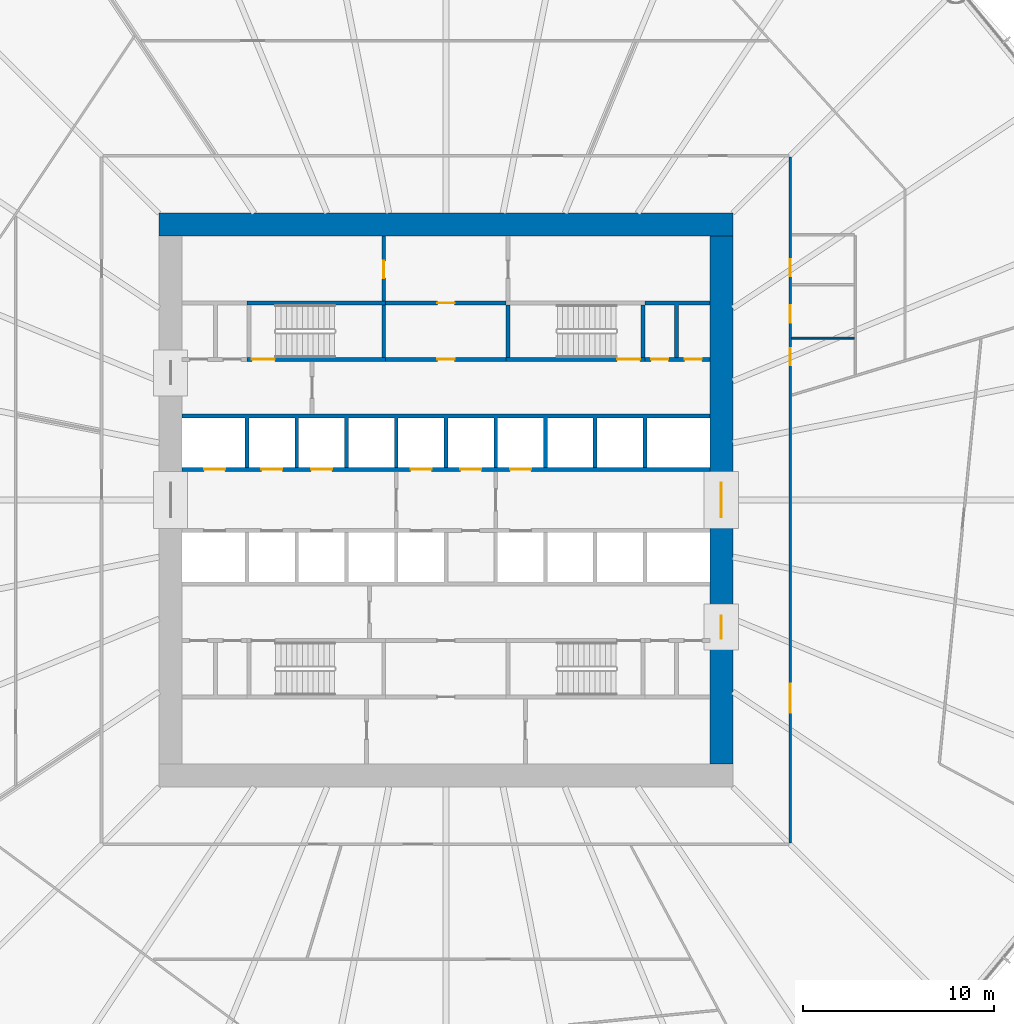
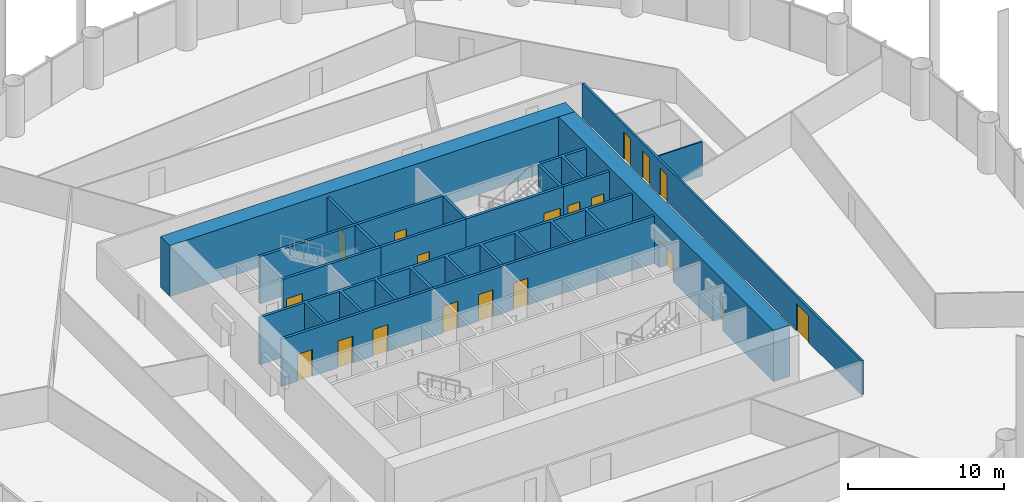
# One storey, part 11 of 14: 19 doors, 17 walls, 19 openings.
"""IFC4 building model written with IfcOpenShell, lengths in metres."""

from ifc_helpers import new_model, si_unit, direction, frame, frame_2d, origin, place, context, subcontext, project, spatial, polyline, rectangle, outline, extrude, material, layer, layer_set, type_object, element, fill, save


model = new_model("IFC4")

# Units and contexts
model_context = context("Model", 3, precision=1e-05, world=origin(), true_north=direction((0.0, 1.0)))
body_context = subcontext(model_context, "Body", "Model", "MODEL_VIEW")
ifc_project = project(units=[si_unit("LENGTHUNIT", "METRE"), si_unit("AREAUNIT", "SQUARE_METRE"), si_unit("VOLUMEUNIT", "CUBIC_METRE"), si_unit("PLANEANGLEUNIT", "RADIAN"), si_unit("MASSUNIT", "GRAM", prefix="KILO")], contexts=[model_context])

# Site, building, storey
site_placement = place(None, origin())
site = spatial("IfcSite", under=ifc_project, at=site_placement, CompositionType="ELEMENT")
building_placement = place(site_placement, origin())
building = spatial("IfcBuilding", under=site, at=building_placement, Name="Corvane Civic Tower", CompositionType="ELEMENT")
storey_placement = place(building_placement, frame((0.0, 0.0, 53.0)))
storey = spatial("IfcBuildingStorey", under=building, at=storey_placement, Name="L11", CompositionType="ELEMENT", Elevation=53.0)

# Wall
ifc_material_1 = material(Name="Concrete C80/95", Category="concrete")
ifc_layer_1 = layer(ifc_material_1, 1.199951171875)
ifc_layer_set_1 = layer_set([ifc_layer_1], Name="Concrete C80/95")
wall_type_1 = type_object("IfcWallType", Name="CORE WALL 1200 C80/95", PredefinedType="SHEAR", material=ifc_layer_set_1)
wall_1_placement = place(storey_placement, frame((-15.0, 14.39990234375, 0.0), z_axis=(0.0, 0.0, 1.0), x_axis=(1.0, 0.0, 0.0)))
element("IfcWall", 1, at=wall_1_placement, inside=storey, type_object=wall_type_1, Name="W-L11-core-N", PredefinedType="SHEAR", context=body_context, shape_type="SweptSolid", body=[
    extrude(rectangle(XDim=30.0, YDim=1.199951171875, at=frame_2d((15.0, 0.0))), origin(), (0.0, 0.0, 1.0), 4.0),
])

# Wall, openings, doors
wall_2_placement = place(storey_placement, frame((14.39990234375, -13.800048828125, 0.0), z_axis=(0.0, 0.0, 1.0), x_axis=(0.0, 1.0, 0.0)))
wall_2 = element("IfcWall", 2, at=wall_2_placement, inside=storey, type_object=wall_type_1, Name="W-L11-core-E", PredefinedType="SHEAR", context=body_context, shape_type="SweptSolid", body=[
    extrude(rectangle(XDim=27.60009765625, YDim=1.199951171875, at=frame_2d((13.800048828125, 0.0))), origin(), (0.0, 0.0, 1.0), 4.0),
])
opening_1_placement = place(wall_2_placement, frame((12.89990234375, 0.0, 0.0)))
opening_1 = element("IfcOpeningElement", 3, at=opening_1_placement, cuts=wall_2, Name="Opening L11.C27", PredefinedType="OPENING", context=body_context, shape_type="SweptSolid", body=[
    extrude(rectangle(XDim=1.800048828125, YDim=2.10009765625, at=frame_2d((0.89990234375, 1.050048828125))), frame((0.0, 0.60986328125, 0.0), z_axis=(0.0, -1.0, 0.0), x_axis=(1.0, 0.0, 0.0)), (0.0, 0.0, 1.0), 1.219970703125),
])
opening_2_placement = place(wall_2_placement, frame((6.550048828125, 0.0, 0.0)))
opening_2 = element("IfcOpeningElement", 4, at=opening_2_placement, cuts=wall_2, Name="Opening L11.C29", PredefinedType="OPENING", context=body_context, shape_type="SweptSolid", body=[
    extrude(rectangle(XDim=1.199951171875, YDim=2.10009765625, at=frame_2d((0.60009765625, 1.050048828125))), frame((0.0, 0.60986328125, 0.0), z_axis=(0.0, -1.0, 0.0), x_axis=(1.0, 0.0, 0.0)), (0.0, 0.0, 1.0), 1.219970703125),
])
ifc_material_2 = material(Name="Steel fire door leaf", Category="steel")
door_type_1 = type_object("IfcDoorType", Name="CR-DOOR-CORE-1800", OperationType="DOUBLE_DOOR_SINGLE_SWING", PredefinedType="DOOR", material=ifc_material_2)
door_1_placement = place(opening_1_placement, origin())
door_1 = element("IfcDoor", 5, at=door_1_placement, inside=storey, type_object=door_type_1, Name="L11 door", OperationType="DOUBLE_DOOR_SINGLE_SWING", OverallHeight=2.10009765625, OverallWidth=1.800048828125, PredefinedType="DOOR", context=body_context, shape_type="SweptSolid", body=[
    extrude(rectangle(XDim=1.800048828125, YDim=2.10009765625, at=frame_2d((0.89990234375, 1.050048828125))), frame((0.0, 0.02490234375, 0.0), z_axis=(0.0, -1.0, 0.0), x_axis=(1.0, 0.0, 0.0)), (0.0, 0.0, 1.0), 0.050048828125),
])
fill(opening_1, door_1)
door_2_placement = place(opening_2_placement, origin())
door_2 = element("IfcDoor", 6, at=door_2_placement, inside=storey, type_object=door_type_1, Name="L11 door", OperationType="DOUBLE_DOOR_SINGLE_SWING", OverallHeight=2.10009765625, OverallWidth=1.199951171875, PredefinedType="DOOR", context=body_context, shape_type="SweptSolid", body=[
    extrude(rectangle(XDim=1.199951171875, YDim=2.10009765625, at=frame_2d((0.60009765625, 1.050048828125))), frame((0.0, 0.02490234375, 0.0), z_axis=(0.0, -1.0, 0.0), x_axis=(1.0, 0.0, 0.0)), (0.0, 0.0, 1.0), 0.050048828125),
])
fill(opening_2, door_2)

ifc_material_3 = material(Name="Concrete C30/37", Category="concrete")
ifc_layer_2 = layer(ifc_material_3, 0.199951171875)
ifc_layer_set_2 = layer_set([ifc_layer_2], Name="Concrete C30/37")
wall_type_2 = type_object("IfcWallType", Name="CR-WALL-200", PredefinedType="PARTITIONING", material=ifc_layer_set_2)
wall_3_placement = place(storey_placement, frame((-13.800048828125, 1.60009765625, 0.0), z_axis=(0.0, 0.0, 1.0), x_axis=(1.0, 0.0, 0.0)))
wall_3 = element("IfcWall", 7, at=wall_3_placement, inside=storey, type_object=wall_type_2, Name="L11 lift shaft wall", PredefinedType="PARTITIONING", context=body_context, shape_type="SweptSolid", body=[
    extrude(rectangle(XDim=27.60009765625, YDim=0.199951171875, at=frame_2d((13.800048828125, 0.0))), origin(), (0.0, 0.0, 1.0), 3.699951171875),
])
opening_3_placement = place(wall_3_placement, frame((1.14990234375, 0.0, 0.0)))
opening_3 = element("IfcOpeningElement", 8, at=opening_3_placement, cuts=wall_3, Name="Opening LD", PredefinedType="OPENING", context=body_context, shape_type="SweptSolid", body=[
    extrude(rectangle(XDim=1.10009765625, YDim=2.10009765625, at=frame_2d((0.550048828125, 1.050048828125))), frame((0.0, 0.10986328125, 0.0), z_axis=(0.0, -1.0, 0.0), x_axis=(1.0, 0.0, 0.0)), (0.0, 0.0, 1.0), 0.219970703125),
])
opening_4_placement = place(wall_3_placement, frame((4.14990234375, 0.0, 0.0)))
opening_4 = element("IfcOpeningElement", 9, at=opening_4_placement, cuts=wall_3, Name="Opening LD", PredefinedType="OPENING", context=body_context, shape_type="SweptSolid", body=[
    extrude(rectangle(XDim=1.10009765625, YDim=2.10009765625, at=frame_2d((0.550048828125, 1.050048828125))), frame((0.0, 0.10986328125, 0.0), z_axis=(0.0, -1.0, 0.0), x_axis=(1.0, 0.0, 0.0)), (0.0, 0.0, 1.0), 0.219970703125),
])
opening_5_placement = place(wall_3_placement, frame((6.75, 0.0, 0.0)))
opening_5 = element("IfcOpeningElement", 10, at=opening_5_placement, cuts=wall_3, Name="Opening LD", PredefinedType="OPENING", context=body_context, shape_type="SweptSolid", body=[
    extrude(rectangle(XDim=1.10009765625, YDim=2.10009765625, at=frame_2d((0.550048828125, 1.050048828125))), frame((0.0, 0.10986328125, 0.0), z_axis=(0.0, -1.0, 0.0), x_axis=(1.0, 0.0, 0.0)), (0.0, 0.0, 1.0), 0.219970703125),
])
opening_6_placement = place(wall_3_placement, frame((11.949951171875, 0.0, 0.0)))
opening_6 = element("IfcOpeningElement", 11, at=opening_6_placement, cuts=wall_3, Name="Opening LD", PredefinedType="OPENING", context=body_context, shape_type="SweptSolid", body=[
    extrude(rectangle(XDim=1.10009765625, YDim=2.10009765625, at=frame_2d((0.550048828125, 1.050048828125))), frame((0.0, 0.10986328125, 0.0), z_axis=(0.0, -1.0, 0.0), x_axis=(1.0, 0.0, 0.0)), (0.0, 0.0, 1.0), 0.219970703125),
])
opening_7_placement = place(wall_3_placement, frame((14.550048828125, 0.0, 0.0)))
opening_7 = element("IfcOpeningElement", 12, at=opening_7_placement, cuts=wall_3, Name="Opening LD", PredefinedType="OPENING", context=body_context, shape_type="SweptSolid", body=[
    extrude(rectangle(XDim=1.10009765625, YDim=2.10009765625, at=frame_2d((0.550048828125, 1.050048828125))), frame((0.0, 0.10986328125, 0.0), z_axis=(0.0, -1.0, 0.0), x_axis=(1.0, 0.0, 0.0)), (0.0, 0.0, 1.0), 0.219970703125),
])
opening_8_placement = place(wall_3_placement, frame((17.14990234375, 0.0, 0.0)))
opening_8 = element("IfcOpeningElement", 13, at=opening_8_placement, cuts=wall_3, Name="Opening LD", PredefinedType="OPENING", context=body_context, shape_type="SweptSolid", body=[
    extrude(rectangle(XDim=1.10009765625, YDim=2.10009765625, at=frame_2d((0.550048828125, 1.050048828125))), frame((0.0, 0.10986328125, 0.0), z_axis=(0.0, -1.0, 0.0), x_axis=(1.0, 0.0, 0.0)), (0.0, 0.0, 1.0), 0.219970703125),
])
ifc_material_4 = material(Name="Stainless steel 316 door leaves", Category="steel")
door_type_2 = type_object("IfcDoorType", Name="LD", OperationType="DOUBLE_DOOR_SLIDING", PredefinedType="DOOR", material=ifc_material_4)
door_3_placement = place(opening_3_placement, origin())
door_3 = element("IfcDoor", 14, at=door_3_placement, inside=storey, type_object=door_type_2, Name="L11 landing door", OperationType="DOUBLE_DOOR_SLIDING", OverallHeight=2.10009765625, OverallWidth=1.10009765625, PredefinedType="DOOR", context=body_context, shape_type="SweptSolid", body=[
    extrude(rectangle(XDim=1.10009765625, YDim=2.10009765625, at=frame_2d((0.550048828125, 1.050048828125))), frame((0.0, 0.02490234375, 0.0), z_axis=(0.0, -1.0, 0.0), x_axis=(1.0, 0.0, 0.0)), (0.0, 0.0, 1.0), 0.050048828125),
])
fill(opening_3, door_3)
door_4_placement = place(opening_4_placement, origin())
door_4 = element("IfcDoor", 15, at=door_4_placement, inside=storey, type_object=door_type_2, Name="L11 landing door", OperationType="DOUBLE_DOOR_SLIDING", OverallHeight=2.10009765625, OverallWidth=1.10009765625, PredefinedType="DOOR", context=body_context, shape_type="SweptSolid", body=[
    extrude(rectangle(XDim=1.10009765625, YDim=2.10009765625, at=frame_2d((0.550048828125, 1.050048828125))), frame((0.0, 0.02490234375, 0.0), z_axis=(0.0, -1.0, 0.0), x_axis=(1.0, 0.0, 0.0)), (0.0, 0.0, 1.0), 0.050048828125),
])
fill(opening_4, door_4)
door_5_placement = place(opening_5_placement, origin())
door_5 = element("IfcDoor", 16, at=door_5_placement, inside=storey, type_object=door_type_2, Name="L11 landing door", OperationType="DOUBLE_DOOR_SLIDING", OverallHeight=2.10009765625, OverallWidth=1.10009765625, PredefinedType="DOOR", context=body_context, shape_type="SweptSolid", body=[
    extrude(rectangle(XDim=1.10009765625, YDim=2.10009765625, at=frame_2d((0.550048828125, 1.050048828125))), frame((0.0, 0.02490234375, 0.0), z_axis=(0.0, -1.0, 0.0), x_axis=(1.0, 0.0, 0.0)), (0.0, 0.0, 1.0), 0.050048828125),
])
fill(opening_5, door_5)
door_6_placement = place(opening_6_placement, origin())
door_6 = element("IfcDoor", 17, at=door_6_placement, inside=storey, type_object=door_type_2, Name="L11 landing door", OperationType="DOUBLE_DOOR_SLIDING", OverallHeight=2.10009765625, OverallWidth=1.10009765625, PredefinedType="DOOR", context=body_context, shape_type="SweptSolid", body=[
    extrude(rectangle(XDim=1.10009765625, YDim=2.10009765625, at=frame_2d((0.550048828125, 1.050048828125))), frame((0.0, 0.02490234375, 0.0), z_axis=(0.0, -1.0, 0.0), x_axis=(1.0, 0.0, 0.0)), (0.0, 0.0, 1.0), 0.050048828125),
])
fill(opening_6, door_6)
door_7_placement = place(opening_7_placement, origin())
door_7 = element("IfcDoor", 18, at=door_7_placement, inside=storey, type_object=door_type_2, Name="L11 landing door", OperationType="DOUBLE_DOOR_SLIDING", OverallHeight=2.10009765625, OverallWidth=1.10009765625, PredefinedType="DOOR", context=body_context, shape_type="SweptSolid", body=[
    extrude(rectangle(XDim=1.10009765625, YDim=2.10009765625, at=frame_2d((0.550048828125, 1.050048828125))), frame((0.0, 0.02490234375, 0.0), z_axis=(0.0, -1.0, 0.0), x_axis=(1.0, 0.0, 0.0)), (0.0, 0.0, 1.0), 0.050048828125),
])
fill(opening_7, door_7)
door_8_placement = place(opening_8_placement, origin())
door_8 = element("IfcDoor", 19, at=door_8_placement, inside=storey, type_object=door_type_2, Name="L11 landing door", OperationType="DOUBLE_DOOR_SLIDING", OverallHeight=2.10009765625, OverallWidth=1.10009765625, PredefinedType="DOOR", context=body_context, shape_type="SweptSolid", body=[
    extrude(rectangle(XDim=1.10009765625, YDim=2.10009765625, at=frame_2d((0.550048828125, 1.050048828125))), frame((0.0, 0.02490234375, 0.0), z_axis=(0.0, -1.0, 0.0), x_axis=(1.0, 0.0, 0.0)), (0.0, 0.0, 1.0), 0.050048828125),
])
fill(opening_8, door_8)

# Wall, opening, door
wall_4_placement = place(storey_placement, frame((-3.14990234375, 7.35009765625, 0.0), z_axis=(0.0, 0.0, 1.0), x_axis=(1.0, 0.0, 0.0)))
wall_4 = element("IfcWall", 20, at=wall_4_placement, inside=storey, type_object=wall_type_2, Name="L11 core partition wall", PredefinedType="PARTITIONING", context=body_context, shape_type="SweptSolid", body=[
    extrude(rectangle(XDim=6.2998046875, YDim=0.199951171875, at=frame_2d((3.14990234375, 0.0))), origin(), (0.0, 0.0, 1.0), 3.699951171875),
])
opening_9_placement = place(wall_4_placement, frame((2.699951171875, 0.0, 0.0)))
opening_9 = element("IfcOpeningElement", 21, at=opening_9_placement, cuts=wall_4, Name="Opening L11.C02", PredefinedType="OPENING", context=body_context, shape_type="SweptSolid", body=[
    extrude(rectangle(XDim=0.89990234375, YDim=2.10009765625, at=frame_2d((0.449951171875, 1.050048828125))), frame((0.0, 0.10986328125, 0.0), z_axis=(0.0, -1.0, 0.0), x_axis=(1.0, 0.0, 0.0)), (0.0, 0.0, 1.0), 0.219970703125),
])
ifc_material_5 = material(Name="Steel fire door leaf", Category="steel")
door_type_3 = type_object("IfcDoorType", Name="CR-DOOR-900", OperationType="SINGLE_SWING_LEFT", PredefinedType="DOOR", material=ifc_material_5)
door_9_placement = place(opening_9_placement, origin())
door_9 = element("IfcDoor", 22, at=door_9_placement, inside=storey, type_object=door_type_3, Name="L11 door", OperationType="SINGLE_SWING_LEFT", OverallHeight=2.10009765625, OverallWidth=0.89990234375, PredefinedType="DOOR", context=body_context, shape_type="SweptSolid", body=[
    extrude(rectangle(XDim=0.89990234375, YDim=2.10009765625, at=frame_2d((0.449951171875, 1.050048828125))), frame((0.0, 0.02490234375, 0.0), z_axis=(0.0, -1.0, 0.0), x_axis=(1.0, 0.0, 0.0)), (0.0, 0.0, 1.0), 0.050048828125),
])
fill(opening_9, door_9)

# Wall, openings, doors
wall_5_placement = place(storey_placement, frame((10.39990234375, 7.35009765625, 0.0), z_axis=(0.0, 0.0, 1.0), x_axis=(1.0, 0.0, 0.0)))
wall_5 = element("IfcWall", 23, at=wall_5_placement, inside=storey, type_object=wall_type_2, Name="L11 core partition wall", PredefinedType="PARTITIONING", context=body_context, shape_type="SweptSolid", body=[
    extrude(rectangle(XDim=3.400146484375, YDim=0.199951171875, at=frame_2d((1.7001953125, 0.0))), origin(), (0.0, 0.0, 1.0), 3.699951171875),
])
opening_10_placement = place(wall_5_placement, frame((0.324951171875, 0.0, 0.0)))
opening_10 = element("IfcOpeningElement", 24, at=opening_10_placement, cuts=wall_5, Name="Opening L11.C14", PredefinedType="OPENING", context=body_context, shape_type="SweptSolid", body=[
    extrude(rectangle(XDim=0.89990234375, YDim=2.10009765625, at=frame_2d((0.449951171875, 1.050048828125))), frame((0.0, 0.10986328125, 0.0), z_axis=(0.0, -1.0, 0.0), x_axis=(1.0, 0.0, 0.0)), (0.0, 0.0, 1.0), 0.219970703125),
])
opening_11_placement = place(wall_5_placement, frame((2.074951171875, 0.0, 0.0)))
opening_11 = element("IfcOpeningElement", 25, at=opening_11_placement, cuts=wall_5, Name="Opening L11.C15", PredefinedType="OPENING", context=body_context, shape_type="SweptSolid", body=[
    extrude(rectangle(XDim=0.89990234375, YDim=2.10009765625, at=frame_2d((0.449951171875, 1.050048828125))), frame((0.0, 0.10986328125, 0.0), z_axis=(0.0, -1.0, 0.0), x_axis=(1.0, 0.0, 0.0)), (0.0, 0.0, 1.0), 0.219970703125),
])
door_10_placement = place(opening_10_placement, origin())
door_10 = element("IfcDoor", 26, at=door_10_placement, inside=storey, type_object=door_type_3, Name="L11 door", OperationType="SINGLE_SWING_LEFT", OverallHeight=2.10009765625, OverallWidth=0.89990234375, PredefinedType="DOOR", context=body_context, shape_type="SweptSolid", body=[
    extrude(rectangle(XDim=0.89990234375, YDim=2.10009765625, at=frame_2d((0.449951171875, 1.050048828125))), frame((0.0, 0.02490234375, 0.0), z_axis=(0.0, -1.0, 0.0), x_axis=(1.0, 0.0, 0.0)), (0.0, 0.0, 1.0), 0.050048828125),
])
fill(opening_10, door_10)
door_11_placement = place(opening_11_placement, origin())
door_11 = element("IfcDoor", 27, at=door_11_placement, inside=storey, type_object=door_type_3, Name="L11 door", OperationType="SINGLE_SWING_LEFT", OverallHeight=2.10009765625, OverallWidth=0.89990234375, PredefinedType="DOOR", context=body_context, shape_type="SweptSolid", body=[
    extrude(rectangle(XDim=0.89990234375, YDim=2.10009765625, at=frame_2d((0.449951171875, 1.050048828125))), frame((0.0, 0.02490234375, 0.0), z_axis=(0.0, -1.0, 0.0), x_axis=(1.0, 0.0, 0.0)), (0.0, 0.0, 1.0), 0.050048828125),
])
fill(opening_11, door_11)

# Wall, opening, door
wall_6_placement = place(storey_placement, frame((-3.14990234375, 10.300048828125, 0.0), z_axis=(0.0, 0.0, 1.0), x_axis=(1.0, 0.0, 0.0)))
wall_6 = element("IfcWall", 28, at=wall_6_placement, inside=storey, type_object=wall_type_2, Name="L11 partition wall", PredefinedType="PARTITIONING", context=body_context, shape_type="SweptSolid", body=[
    extrude(rectangle(XDim=6.2998046875, YDim=0.199951171875, at=frame_2d((3.14990234375, 0.0))), origin(), (0.0, 0.0, 1.0), 3.699951171875),
])
opening_12_placement = place(wall_6_placement, frame((2.699951171875, 0.0, 0.0)))
opening_12 = element("IfcOpeningElement", 29, at=opening_12_placement, cuts=wall_6, Name="Opening L11.C05", PredefinedType="OPENING", context=body_context, shape_type="SweptSolid", body=[
    extrude(rectangle(XDim=0.89990234375, YDim=2.10009765625, at=frame_2d((0.449951171875, 1.050048828125))), frame((0.0, 0.10986328125, 0.0), z_axis=(0.0, -1.0, 0.0), x_axis=(1.0, 0.0, 0.0)), (0.0, 0.0, 1.0), 0.219970703125),
])
door_12_placement = place(opening_12_placement, origin())
door_12 = element("IfcDoor", 30, at=door_12_placement, inside=storey, type_object=door_type_3, Name="L11 door", OperationType="SINGLE_SWING_LEFT", OverallHeight=2.10009765625, OverallWidth=0.89990234375, PredefinedType="DOOR", context=body_context, shape_type="SweptSolid", body=[
    extrude(rectangle(XDim=0.89990234375, YDim=2.10009765625, at=frame_2d((0.449951171875, 1.050048828125))), frame((0.0, 0.02490234375, 0.0), z_axis=(0.0, -1.0, 0.0), x_axis=(1.0, 0.0, 0.0)), (0.0, 0.0, 1.0), 0.050048828125),
])
fill(opening_12, door_12)

wall_7_placement = place(storey_placement, frame((-3.25, 10.39990234375, 0.0), z_axis=(0.0, 0.0, 1.0), x_axis=(0.0, 1.0, 0.0)))
wall_7 = element("IfcWall", 31, at=wall_7_placement, inside=storey, type_object=wall_type_2, Name="L11 partition wall", PredefinedType="PARTITIONING", context=body_context, shape_type="SweptSolid", body=[
    extrude(rectangle(XDim=3.400146484375, YDim=0.199951171875, at=frame_2d((1.7001953125, 0.0))), origin(), (0.0, 0.0, 1.0), 3.699951171875),
])
opening_13_placement = place(wall_7_placement, frame((1.199951171875, 0.0, 0.0)))
opening_13 = element("IfcOpeningElement", 32, at=opening_13_placement, cuts=wall_7, Name="Opening L11.C04", PredefinedType="OPENING", context=body_context, shape_type="SweptSolid", body=[
    extrude(rectangle(XDim=0.89990234375, YDim=2.10009765625, at=frame_2d((0.449951171875, 1.050048828125))), frame((0.0, 0.10986328125, 0.0), z_axis=(0.0, -1.0, 0.0), x_axis=(1.0, 0.0, 0.0)), (0.0, 0.0, 1.0), 0.219970703125),
])
door_13_placement = place(opening_13_placement, origin())
door_13 = element("IfcDoor", 33, at=door_13_placement, inside=storey, type_object=door_type_3, Name="L11 door", OperationType="SINGLE_SWING_LEFT", OverallHeight=2.10009765625, OverallWidth=0.89990234375, PredefinedType="DOOR", context=body_context, shape_type="SweptSolid", body=[
    extrude(rectangle(XDim=0.89990234375, YDim=2.10009765625, at=frame_2d((0.449951171875, 1.050048828125))), frame((0.0, 0.02490234375, 0.0), z_axis=(0.0, -1.0, 0.0), x_axis=(1.0, 0.0, 0.0)), (0.0, 0.0, 1.0), 0.050048828125),
])
fill(opening_13, door_13)

# Walls
wall_8_placement = place(storey_placement, origin())
element("IfcWall", 34, at=wall_8_placement, inside=storey, type_object=wall_type_2, Name="L11 core partition wall", PredefinedType="PARTITIONING", context=body_context, shape_type="SweptSolid", body=[
    extrude(outline(polyline([(-10.300048828125, 1.699951171875), (-10.5, 1.699951171875), (-10.5, 4.300048828125), (-13.800048828125, 4.300048828125), (-13.800048828125, 4.5), (13.800048828125, 4.5), (13.800048828125, 4.300048828125), (10.5, 4.300048828125), (10.5, 1.699951171875), (10.300048828125, 1.699951171875), (10.300048828125, 4.300048828125), (7.89990234375, 4.300048828125), (7.89990234375, 1.699951171875), (7.699951171875, 1.699951171875), (7.699951171875, 4.300048828125), (5.300048828125, 4.300048828125), (5.300048828125, 1.699951171875), (5.10009765625, 1.699951171875), (5.10009765625, 4.300048828125), (2.699951171875, 4.300048828125), (2.699951171875, 1.699951171875), (2.5, 1.699951171875), (2.5, 4.300048828125), (0.10009765625, 4.300048828125), (0.10009765625, 1.699951171875), (-0.10009765625, 1.699951171875), (-0.10009765625, 4.300048828125), (-2.5, 4.300048828125), (-2.5, 1.699951171875), (-2.699951171875, 1.699951171875), (-2.699951171875, 4.300048828125), (-5.10009765625, 4.300048828125), (-5.10009765625, 1.699951171875), (-5.300048828125, 1.699951171875), (-5.300048828125, 4.300048828125), (-7.699951171875, 4.300048828125), (-7.699951171875, 1.699951171875), (-7.89990234375, 1.699951171875), (-7.89990234375, 4.300048828125), (-10.300048828125, 4.300048828125), (-10.300048828125, 1.699951171875)])), origin(), (0.0, 0.0, 1.0), 3.699951171875),
])
wall_9_placement = place(storey_placement, origin())
element("IfcWall", 35, at=wall_9_placement, inside=storey, type_object=wall_type_2, Name="L11 core partition wall", PredefinedType="PARTITIONING", context=body_context, shape_type="SweptSolid", body=[
    extrude(outline(polyline([(13.800048828125, 10.39990234375), (13.800048828125, 10.199951171875), (12.14990234375, 10.199951171875), (12.14990234375, 7.449951171875), (11.949951171875, 7.449951171875), (11.949951171875, 10.199951171875), (10.39990234375, 10.199951171875), (10.39990234375, 10.39990234375), (13.800048828125, 10.39990234375)])), origin(), (0.0, 0.0, 1.0), 3.699951171875),
])
ifc_material_6 = material(Name="Plasterboard")
ifc_layer_3 = layer(ifc_material_6, 0.10009765625)
ifc_layer_set_3 = layer_set([ifc_layer_3], Name="Plasterboard")
wall_type_3 = type_object("IfcWallType", Name="Partition 100 plasterboard on studs", PredefinedType="PARTITIONING", material=ifc_layer_set_3)
wall_10_placement = place(storey_placement, frame((18.074951171875, 8.460205078125, 0.0), z_axis=(0.0, 0.0, 1.0), x_axis=(1.0, 0.0, 0.0)))
element("IfcWall", 36, at=wall_10_placement, inside=storey, type_object=wall_type_3, Name="Partition L11.021", PredefinedType="PARTITIONING", context=body_context, shape_type="SweptSolid", body=[
    extrude(rectangle(XDim=3.275146484375, YDim=0.10009765625, at=frame_2d((1.6376953125, 0.0))), origin(), (0.0, 0.0, 1.0), 2.699951171875),
])

# Wall, opening, door
ifc_material_7 = material(Name="Concrete C50/60", Category="concrete")
ifc_layer_4 = layer(ifc_material_7, 0.199951171875)
ifc_layer_set_4 = layer_set([ifc_layer_4], Name="Concrete C50/60")
wall_type_4 = type_object("IfcWallType", Name="ST-WALL-200", PredefinedType="SHEAR", material=ifc_layer_set_4)
wall_11_placement = place(storey_placement, frame((-10.39990234375, 7.35009765625, 0.0), z_axis=(0.0, 0.0, 1.0), x_axis=(1.0, 0.0, 0.0)))
wall_11 = element("IfcWall", 37, at=wall_11_placement, inside=storey, type_object=wall_type_4, Name="L11 stair enclosure wall", PredefinedType="SHEAR", context=body_context, shape_type="SweptSolid", body=[
    extrude(rectangle(XDim=7.25, YDim=0.199951171875, at=frame_2d((3.625, 0.0))), origin(), (0.0, 0.0, 1.0), 3.699951171875),
])
opening_14_placement = place(wall_11_placement, frame((0.25, 0.0, 0.0)))
opening_14 = element("IfcOpeningElement", 38, at=opening_14_placement, cuts=wall_11, Name="Opening L11.C19", PredefinedType="OPENING", context=body_context, shape_type="SweptSolid", body=[
    extrude(rectangle(XDim=1.199951171875, YDim=2.10009765625, at=frame_2d((0.60009765625, 1.050048828125))), frame((0.0, 0.10986328125, 0.0), z_axis=(0.0, -1.0, 0.0), x_axis=(1.0, 0.0, 0.0)), (0.0, 0.0, 1.0), 0.219970703125),
])
ifc_material_8 = material(Name="Steel fire door leaf", Category="steel")
door_type_4 = type_object("IfcDoorType", Name="ST-DOOR-1200", OperationType="SINGLE_SWING_RIGHT", PredefinedType="DOOR", material=ifc_material_8)
door_14_placement = place(opening_14_placement, origin())
door_14 = element("IfcDoor", 39, at=door_14_placement, inside=storey, type_object=door_type_4, Name="L11 stair door", OperationType="SINGLE_SWING_RIGHT", OverallHeight=2.10009765625, OverallWidth=1.199951171875, PredefinedType="DOOR", context=body_context, shape_type="SweptSolid", body=[
    extrude(rectangle(XDim=1.199951171875, YDim=2.10009765625, at=frame_2d((0.60009765625, 1.050048828125))), frame((0.0, 0.02490234375, 0.0), z_axis=(0.0, -1.0, 0.0), x_axis=(1.0, 0.0, 0.0)), (0.0, 0.0, 1.0), 0.050048828125),
])
fill(opening_14, door_14)

wall_12_placement = place(storey_placement, frame((3.14990234375, 7.35009765625, 0.0), z_axis=(0.0, 0.0, 1.0), x_axis=(1.0, 0.0, 0.0)))
wall_12 = element("IfcWall", 40, at=wall_12_placement, inside=storey, type_object=wall_type_4, Name="L11 stair enclosure wall", PredefinedType="SHEAR", context=body_context, shape_type="SweptSolid", body=[
    extrude(rectangle(XDim=7.25, YDim=0.199951171875, at=frame_2d((3.625, 0.0))), origin(), (0.0, 0.0, 1.0), 3.699951171875),
])
opening_15_placement = place(wall_12_placement, frame((5.800048828125, 0.0, 0.0)))
opening_15 = element("IfcOpeningElement", 41, at=opening_15_placement, cuts=wall_12, Name="Opening L11.C18", PredefinedType="OPENING", context=body_context, shape_type="SweptSolid", body=[
    extrude(rectangle(XDim=1.199951171875, YDim=2.10009765625, at=frame_2d((0.60009765625, 1.050048828125))), frame((0.0, 0.10986328125, 0.0), z_axis=(0.0, -1.0, 0.0), x_axis=(1.0, 0.0, 0.0)), (0.0, 0.0, 1.0), 0.219970703125),
])
door_15_placement = place(opening_15_placement, origin())
door_15 = element("IfcDoor", 42, at=door_15_placement, inside=storey, type_object=door_type_4, Name="L11 stair door", OperationType="SINGLE_SWING_RIGHT", OverallHeight=2.10009765625, OverallWidth=1.199951171875, PredefinedType="DOOR", context=body_context, shape_type="SweptSolid", body=[
    extrude(rectangle(XDim=1.199951171875, YDim=2.10009765625, at=frame_2d((0.60009765625, 1.050048828125))), frame((0.0, 0.02490234375, 0.0), z_axis=(0.0, -1.0, 0.0), x_axis=(1.0, 0.0, 0.0)), (0.0, 0.0, 1.0), 0.050048828125),
])
fill(opening_15, door_15)

# Walls
wall_13_placement = place(storey_placement, origin())
element("IfcWall", 43, at=wall_13_placement, inside=storey, type_object=wall_type_4, Name="L11 stair enclosure wall", PredefinedType="SHEAR", context=body_context, shape_type="SweptSolid", body=[
    extrude(outline(polyline([(-3.14990234375, 10.199951171875), (-10.39990234375, 10.199951171875), (-10.39990234375, 10.39990234375), (-3.14990234375, 10.39990234375), (-3.14990234375, 10.199951171875)])), origin(), (0.0, 0.0, 1.0), 3.699951171875),
])
wall_14_placement = place(storey_placement, origin())
element("IfcWall", 44, at=wall_14_placement, inside=storey, type_object=wall_type_4, Name="L11 stair enclosure wall", PredefinedType="SHEAR", context=body_context, shape_type="SweptSolid", body=[
    extrude(outline(polyline([(-3.14990234375, 7.449951171875), (-3.35009765625, 7.449951171875), (-3.35009765625, 10.199951171875), (-3.14990234375, 10.199951171875), (-3.14990234375, 7.449951171875)])), origin(), (0.0, 0.0, 1.0), 3.699951171875),
])
wall_15_placement = place(storey_placement, origin())
element("IfcWall", 45, at=wall_15_placement, inside=storey, type_object=wall_type_4, Name="L11 stair enclosure wall", PredefinedType="SHEAR", context=body_context, shape_type="SweptSolid", body=[
    extrude(outline(polyline([(3.35009765625, 7.449951171875), (3.14990234375, 7.449951171875), (3.14990234375, 10.199951171875), (3.35009765625, 10.199951171875), (3.35009765625, 7.449951171875)])), origin(), (0.0, 0.0, 1.0), 3.699951171875),
])
wall_16_placement = place(storey_placement, origin())
element("IfcWall", 46, at=wall_16_placement, inside=storey, type_object=wall_type_4, Name="L11 stair enclosure wall", PredefinedType="SHEAR", context=body_context, shape_type="SweptSolid", body=[
    extrude(outline(polyline([(10.39990234375, 7.449951171875), (10.199951171875, 7.449951171875), (10.199951171875, 10.199951171875), (10.39990234375, 10.199951171875), (10.39990234375, 7.449951171875)])), origin(), (0.0, 0.0, 1.0), 3.699951171875),
])

# Wall, openings, doors
ifc_material_9 = material(Name="Plasterboard")
ifc_layer_5 = layer(ifc_material_9, 0.14990234375)
ifc_layer_set_5 = layer_set([ifc_layer_5], Name="Plasterboard")
wall_type_5 = type_object("IfcWallType", Name="Tenancy wall 150 EI 60", PredefinedType="PARTITIONING", material=ifc_layer_set_5)
wall_17_placement = place(storey_placement, frame((18.0, -17.925048828125, 0.0), z_axis=(0.0, 0.0, 1.0), x_axis=(0.0, 1.0, 0.0)))
wall_17 = element("IfcWall", 47, at=wall_17_placement, inside=storey, type_object=wall_type_5, Name="Partition L11.010", PredefinedType="PARTITIONING", context=body_context, shape_type="SweptSolid", body=[
    extrude(rectangle(XDim=35.85009765625, YDim=0.14990234375, at=frame_2d((17.925048828125, 0.0))), origin(), (0.0, 0.0, 1.0), 2.699951171875),
])
opening_16_placement = place(wall_17_placement, frame((27.196533203125, 0.0, 0.0)))
opening_16 = element("IfcOpeningElement", 48, at=opening_16_placement, cuts=wall_17, Name="Opening L11.006", PredefinedType="OPENING", context=body_context, shape_type="SweptSolid", body=[
    extrude(rectangle(XDim=0.89990234375, YDim=2.10009765625, at=frame_2d((0.449951171875, 1.050048828125))), frame((0.0, 0.0849609375, 0.0), z_axis=(0.0, -1.0, 0.0), x_axis=(1.0, 0.0, 0.0)), (0.0, 0.0, 1.0), 0.169921875),
])
opening_17_placement = place(wall_17_placement, frame((29.614013671875, 0.0, 0.0)))
opening_17 = element("IfcOpeningElement", 49, at=opening_17_placement, cuts=wall_17, Name="Opening L11.007", PredefinedType="OPENING", context=body_context, shape_type="SweptSolid", body=[
    extrude(rectangle(XDim=0.89990234375, YDim=2.10009765625, at=frame_2d((0.449951171875, 1.050048828125))), frame((0.0, 0.0849609375, 0.0), z_axis=(0.0, -1.0, 0.0), x_axis=(1.0, 0.0, 0.0)), (0.0, 0.0, 1.0), 0.169921875),
])
opening_18_placement = place(wall_17_placement, frame((24.9716796875, 0.0, 0.0)))
opening_18 = element("IfcOpeningElement", 50, at=opening_18_placement, cuts=wall_17, Name="Opening L11.008", PredefinedType="OPENING", context=body_context, shape_type="SweptSolid", body=[
    extrude(rectangle(XDim=0.89990234375, YDim=2.10009765625, at=frame_2d((0.449951171875, 1.050048828125))), frame((0.0, 0.0849609375, 0.0), z_axis=(0.0, -1.0, 0.0), x_axis=(1.0, 0.0, 0.0)), (0.0, 0.0, 1.0), 0.169921875),
])
opening_19_placement = place(wall_17_placement, frame((6.814697265625, 0.0, 0.0)))
opening_19 = element("IfcOpeningElement", 51, at=opening_19_placement, cuts=wall_17, Name="Opening L11.010", PredefinedType="OPENING", context=body_context, shape_type="SweptSolid", body=[
    extrude(rectangle(XDim=1.5, YDim=2.10009765625, at=frame_2d((0.75, 1.050048828125))), frame((0.0, 0.0849609375, 0.0), z_axis=(0.0, -1.0, 0.0), x_axis=(1.0, 0.0, 0.0)), (0.0, 0.0, 1.0), 0.169921875),
])
ifc_material_10 = material(Name="Steel and timber", Category="steel")
door_type_5 = type_object("IfcDoorType", Name="Fire door FD30S 900", OperationType="NOTDEFINED", PredefinedType="DOOR", material=ifc_material_10)
door_16_placement = place(opening_16_placement, frame((0.89990234375, 0.0, 0.0), z_axis=(0.0, 0.0, 1.0), x_axis=(-1.0, 0.0, 0.0)))
door_16 = element("IfcDoor", 52, at=door_16_placement, inside=storey, type_object=door_type_5, Name="Door L11.006", OperationType="SINGLE_SWING_RIGHT", OverallHeight=2.10009765625, OverallWidth=0.89990234375, PredefinedType="DOOR", context=body_context, shape_type="SweptSolid", body=[
    extrude(rectangle(XDim=0.89990234375, YDim=2.10009765625, at=frame_2d((0.449951171875, 1.050048828125))), frame((0.0, 0.02490234375, 0.0), z_axis=(0.0, -1.0, 0.0), x_axis=(1.0, 0.0, 0.0)), (0.0, 0.0, 1.0), 0.050048828125),
])
fill(opening_16, door_16)
door_17_placement = place(opening_17_placement, frame((0.89990234375, 0.0, 0.0), z_axis=(0.0, 0.0, 1.0), x_axis=(-1.0, 0.0, 0.0)))
door_17 = element("IfcDoor", 53, at=door_17_placement, inside=storey, type_object=door_type_5, Name="Door L11.007", OperationType="SINGLE_SWING_LEFT", OverallHeight=2.10009765625, OverallWidth=0.89990234375, PredefinedType="DOOR", context=body_context, shape_type="SweptSolid", body=[
    extrude(rectangle(XDim=0.89990234375, YDim=2.10009765625, at=frame_2d((0.449951171875, 1.050048828125))), frame((0.0, 0.02490234375, 0.0), z_axis=(0.0, -1.0, 0.0), x_axis=(1.0, 0.0, 0.0)), (0.0, 0.0, 1.0), 0.050048828125),
])
fill(opening_17, door_17)
door_18_placement = place(opening_18_placement, frame((0.89990234375, 0.0, 0.0), z_axis=(0.0, 0.0, 1.0), x_axis=(-1.0, 0.0, 0.0)))
door_18 = element("IfcDoor", 54, at=door_18_placement, inside=storey, type_object=door_type_5, Name="Door L11.008", OperationType="SINGLE_SWING_LEFT", OverallHeight=2.10009765625, OverallWidth=0.89990234375, PredefinedType="DOOR", context=body_context, shape_type="SweptSolid", body=[
    extrude(rectangle(XDim=0.89990234375, YDim=2.10009765625, at=frame_2d((0.449951171875, 1.050048828125))), frame((0.0, 0.02490234375, 0.0), z_axis=(0.0, -1.0, 0.0), x_axis=(1.0, 0.0, 0.0)), (0.0, 0.0, 1.0), 0.050048828125),
])
fill(opening_18, door_18)
ifc_material_11 = material(Name="Steel and timber", Category="steel")
door_type_6 = type_object("IfcDoorType", Name="Fire door FD60 double 1500", OperationType="NOTDEFINED", PredefinedType="DOOR", material=ifc_material_11)
door_19_placement = place(opening_19_placement, frame((1.5, 0.0, 0.0), z_axis=(0.0, 0.0, 1.0), x_axis=(-1.0, 0.0, 0.0)))
door_19 = element("IfcDoor", 55, at=door_19_placement, inside=storey, type_object=door_type_6, Name="Door L11.010", OperationType="DOUBLE_DOOR_SINGLE_SWING", OverallHeight=2.10009765625, OverallWidth=1.5, PredefinedType="DOOR", context=body_context, shape_type="SweptSolid", body=[
    extrude(rectangle(XDim=1.5, YDim=2.10009765625, at=frame_2d((0.75, 1.050048828125))), frame((0.0, 0.02490234375, 0.0), z_axis=(0.0, -1.0, 0.0), x_axis=(1.0, 0.0, 0.0)), (0.0, 0.0, 1.0), 0.050048828125),
])
fill(opening_19, door_19)

save(model, "model.ifc")
